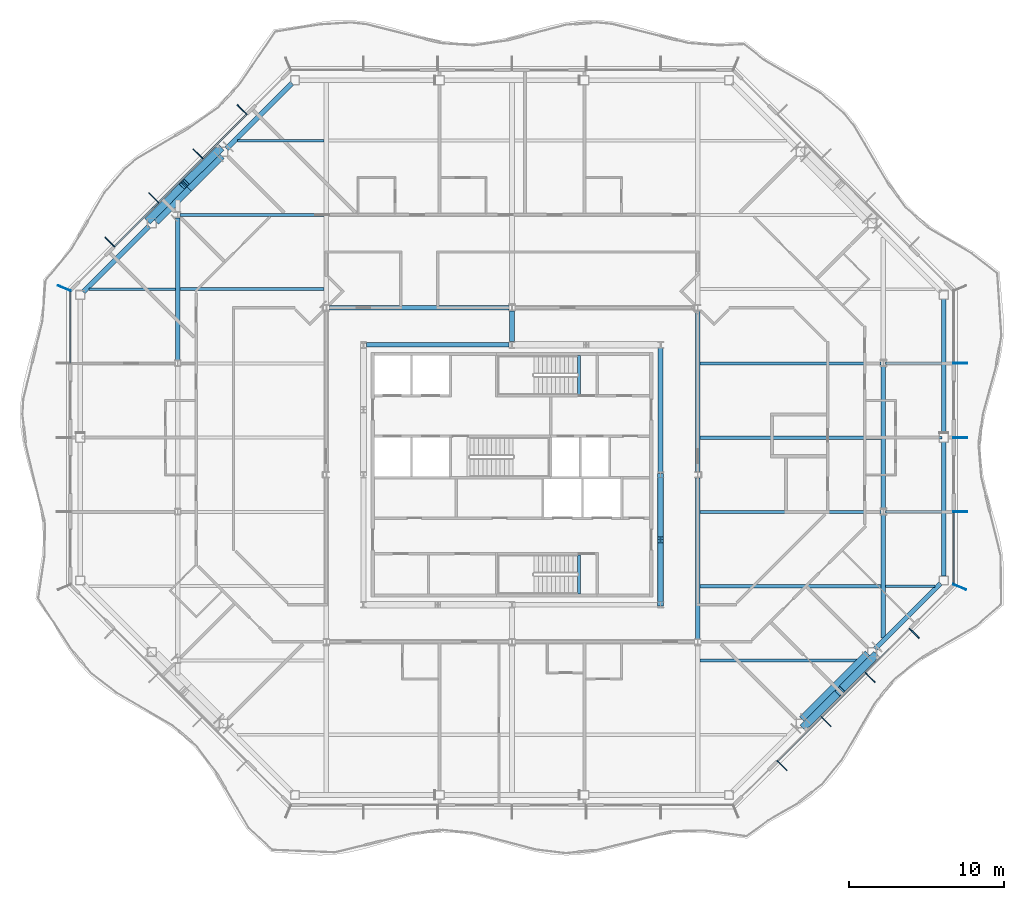
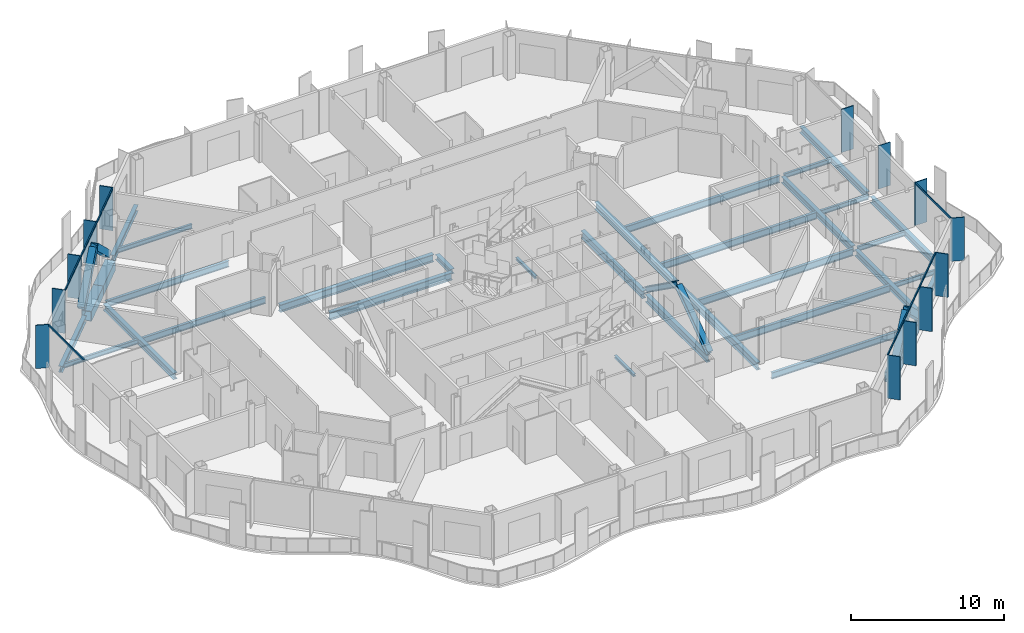
# One storey, part 4 of 20: 34 beams, 27 members, 4 elements without a shape of their own.
"""IFC4 building model written with IfcOpenShell, lengths in metres."""

import ifcopenshell
import ifcopenshell.guid

model = None  # the IFC model being written
_history = None  # IfcOwnerHistory: only IFC2X3 demands one
_inside = {}  # id of a spatial element -> (the spatial element, [elements in it])
_under = {}  # id of a project, library or spatial element -> (it, [spatial elements below it])
_declared = {}  # id of a project -> (the project, [libraries it declares])
_typed = {}  # id of a type object -> (the type object, [elements of that type])
_made_of = {}  # id of a material, layer set ... -> (it, [elements and type objects made of it])


def new_model(schema):
    """Start an empty IFC model of exactly this schema.

    Asked for "IFC4X3", IfcOpenShell would pick the latest addendum, in which some entities
    have other attributes; the version numbers below select the first issue.
    IFC2X3 requires an IfcOwnerHistory on every rooted entity: one is made here for all.
    """
    global model, _history
    if schema == "IFC4X3":
        model = ifcopenshell.file(schema_version=(4, 3, 0, 0))
    else:
        model = ifcopenshell.file(schema=schema)
    _inside.clear()
    _under.clear()
    _declared.clear()
    _typed.clear()
    _made_of.clear()
    _history = None
    if model.schema == "IFC2X3":
        org = make("IfcOrganization", Name="unknown")
        user = make(
            "IfcPersonAndOrganization",
            ThePerson=make("IfcPerson", FamilyName="unknown"),
            TheOrganization=org,
        )
        app = make(
            "IfcApplication",
            ApplicationDeveloper=org,
            Version="unknown",
            ApplicationFullName="unknown",
            ApplicationIdentifier="unknown",
        )
        _history = make(
            "IfcOwnerHistory",
            OwningUser=user,
            OwningApplication=app,
            ChangeAction="ADDED",
            CreationDate=0,
        )
    return model


def make(cls, **values):
    """One entity of the class cls with the attributes given. An attribute that is None is left unset."""
    return model.create_entity(
        cls, **{name: value for name, value in values.items() if value is not None}
    )


def rooted(cls, **values):
    """An entity with a GlobalId (a new one), such as an element, a storey or a relation."""
    return make(cls, GlobalId=ifcopenshell.guid.new(), OwnerHistory=_history, **values)


def si_unit(unit_type, name, prefix=None):
    """IfcSIUnit, for example si_unit("LENGTHUNIT", "METRE", prefix="MILLI")."""
    return make("IfcSIUnit", UnitType=unit_type, Prefix=prefix, Name=name)


def assignment(units):
    """IfcUnitAssignment: the units of a project."""
    return None if units is None else make("IfcUnitAssignment", Units=units)


def point(xyz):
    """IfcCartesianPoint."""
    return None if xyz is None else make("IfcCartesianPoint", Coordinates=xyz)


def direction(xyz):
    """IfcDirection."""
    return None if xyz is None else make("IfcDirection", DirectionRatios=xyz)


def frame(location, z_axis=None, x_axis=None):
    """IfcAxis2Placement3D, a coordinate frame: its origin and axes. An axis left out is left unset."""
    return make(
        "IfcAxis2Placement3D",
        Location=point(location),
        Axis=direction(z_axis),
        RefDirection=direction(x_axis),
    )


def frame_2d(location, x_axis=None):
    """IfcAxis2Placement2D, a coordinate frame in the plane: its origin and x axis."""
    return make(
        "IfcAxis2Placement2D", Location=point(location), RefDirection=direction(x_axis)
    )


def origin():
    """The frame at (0, 0, 0) with its axes left unset."""
    return frame((0.0, 0.0, 0.0))


def origin_2d():
    """The frame at (0, 0) in the plane with its x axis left unset."""
    return frame_2d((0.0, 0.0))


def place(relative_to, where):
    """IfcLocalPlacement: puts the frame where relative to a parent placement (None: the world)."""
    return make(
        "IfcLocalPlacement", PlacementRelTo=relative_to, RelativePlacement=where
    )


def context(
    kind, dimensions, precision=None, world=None, true_north=None, identifier=None
):
    """IfcGeometricRepresentationContext, for example the 3D "Model" context."""
    return make(
        "IfcGeometricRepresentationContext",
        ContextIdentifier=identifier,
        ContextType=kind,
        CoordinateSpaceDimension=dimensions,
        Precision=precision,
        WorldCoordinateSystem=world,
        TrueNorth=true_north,
    )


def subcontext(parent, identifier, kind, view, scale=None):
    """IfcGeometricRepresentationSubContext, for example "Body" below "Model"."""
    return make(
        "IfcGeometricRepresentationSubContext",
        ContextIdentifier=identifier,
        ContextType=kind,
        ParentContext=parent,
        TargetScale=scale,
        TargetView=view,
    )


def project(units=None, contexts=None):
    """IfcProject with its units and contexts."""
    return rooted(
        "IfcProject",
        Name="project",
        RepresentationContexts=contexts,
        UnitsInContext=assignment(units),
    )


def spatial(cls, under=None, at=None, **own):
    """A site, building, storey or space (cls), placed at a placement, below another one or the project."""
    s = rooted(cls, ObjectPlacement=at, **own)
    if under is not None:
        _under.setdefault(under.id(), (under, []))[1].append(s)
    return s


def profile(cls, at=None, kind="AREA", **sizes):
    """A parametric profile (cls). Its sizes go by their IFC names, for example OverallWidth=200.0."""
    return make(cls, ProfileType=kind, Position=at, **sizes)


def rectangle(**sizes):
    """IfcRectangleProfileDef."""
    return profile("IfcRectangleProfileDef", **sizes)


def hollow_rectangle(**sizes):
    """IfcRectangleHollowProfileDef."""
    return profile("IfcRectangleHollowProfileDef", **sizes)


def i_section(**sizes):
    """IfcIShapeProfileDef."""
    return profile("IfcIShapeProfileDef", **sizes)


def extrude(swept, where, along, depth):
    """IfcExtrudedAreaSolid: the profile swept, set in the frame where, extruded along a direction by depth."""
    return make(
        "IfcExtrudedAreaSolid",
        SweptArea=swept,
        Position=where,
        ExtrudedDirection=direction(along),
        Depth=depth,
    )


def shape(context_of_items, identifier, shape_type, items):
    """IfcShapeRepresentation: the items that make up one representation, for example the "Body"."""
    return make(
        "IfcShapeRepresentation",
        ContextOfItems=context_of_items,
        RepresentationIdentifier=identifier,
        RepresentationType=shape_type,
        Items=items,
    )


def material(Name=None, Category=None):
    """IfcMaterial."""
    return make("IfcMaterial", Name=Name, Category=Category)


def material_profile(
    of_material, cross_section, Name=None, Category=None, Priority=None
):
    """IfcMaterialProfile: a cross section and its material."""
    return make(
        "IfcMaterialProfile",
        Name=Name,
        Material=of_material,
        Profile=cross_section,
        Priority=Priority,
        Category=Category,
    )


def profile_set(profiles, Name=None, composite=None):
    """IfcMaterialProfileSet."""
    return make(
        "IfcMaterialProfileSet",
        Name=Name,
        MaterialProfiles=profiles,
        CompositeProfile=composite,
    )


def made_of(thing, what):
    """Note that an element or type object is made of a material, layer set ...; save() writes the relation."""
    if what is not None:
        _made_of.setdefault(what.id(), (what, []))[1].append(thing)
    return thing


def type_object(cls, material=None, **own):
    """A type object (cls), such as IfcWallType, which elements share."""
    return made_of(rooted(cls, **own), material)


def element(
    cls,
    number,
    at=None,
    inside=None,
    cuts=None,
    type_object=None,
    material=None,
    context=None,
    identifier="Body",
    shape_type=None,
    held_by="IfcProductDefinitionShape",
    body=None,
    shapes=None,
    **own,
):
    """One element of the class cls, such as IfcWall. Its Tag is "e" and its number.

    at: its placement. inside: the storey or other place that contains it. cuts: it is an
    opening in that element (IfcRelVoidsElement). A single representation is given by context,
    identifier, shape_type and body (its items); several are given by shapes. held_by: the class
    of the entity that holds the representations. save() writes the other relations.
    """
    e = rooted(cls, Tag="e%d" % number, ObjectPlacement=at, **own)
    if body is not None:
        shapes = [shape(context, identifier, shape_type, body)]
    if shapes is not None:
        e.Representation = make(held_by, Representations=shapes)
    if inside is not None:
        _inside.setdefault(inside.id(), (inside, []))[1].append(e)
    if cuts is not None:
        rooted(
            "IfcRelVoidsElement", RelatingBuildingElement=cuts, RelatedOpeningElement=e
        )
    if type_object is not None:
        _typed.setdefault(type_object.id(), (type_object, []))[1].append(e)
    return made_of(e, material)


def aggregate(whole, parts):
    """IfcRelAggregates: a whole, such as a stair, and the parts it consists of."""
    return rooted("IfcRelAggregates", RelatingObject=whole, RelatedObjects=parts)


def save(model, path):
    """Write the relations noted so far, then the file.

    IfcRelAggregates (storeys below a building ...), IfcRelContainedInSpatialStructure (elements
    in a storey), IfcRelDefinesByType, IfcRelAssociatesMaterial and IfcRelDeclares: one each for
    every whole, place, type object, material and project.
    """
    for whole, parts in _under.values():
        aggregate(whole, parts)
    for where, things in _inside.values():
        rooted(
            "IfcRelContainedInSpatialStructure",
            RelatedElements=things,
            RelatingStructure=where,
        )
    for kind, things in _typed.values():
        rooted("IfcRelDefinesByType", RelatedObjects=things, RelatingType=kind)
    for what, things in _made_of.values():
        rooted("IfcRelAssociatesMaterial", RelatedObjects=things, RelatingMaterial=what)
    for by, libraries in _declared.values():
        rooted("IfcRelDeclares", RelatingContext=by, RelatedDefinitions=libraries)
    model.write(path)


model = new_model("IFC4")

# Units and contexts
model_context = context("Model", 3, precision=1e-05, world=origin(), true_north=direction((0.0, 1.0)))
body_context = subcontext(model_context, "Body", "Model", "MODEL_VIEW")
ifc_project = project(units=[si_unit("LENGTHUNIT", "METRE"), si_unit("AREAUNIT", "SQUARE_METRE"), si_unit("VOLUMEUNIT", "CUBIC_METRE"), si_unit("PLANEANGLEUNIT", "RADIAN"), si_unit("MASSUNIT", "GRAM", prefix="KILO")], contexts=[model_context])

# Site, building, storey
site_placement = place(None, origin())
site = spatial("IfcSite", under=ifc_project, at=site_placement, CompositionType="ELEMENT")
building_placement = place(site_placement, origin())
building = spatial("IfcBuilding", under=site, at=building_placement, Name="Cairn Pilgrim Tower", CompositionType="ELEMENT")
storey_placement = place(building_placement, frame((0.0, 0.0, 165.0)))
storey = spatial("IfcBuildingStorey", under=building, at=storey_placement, Name="L41", CompositionType="ELEMENT", Elevation=165.0)

# Members
ifc_material_1 = material(Name="Structural steel S460M", Category="steel")
ifc_material_profile_1 = material_profile(ifc_material_1, hollow_rectangle(XDim=0.5, YDim=0.5, WallThickness=0.030029296875, at=origin_2d()), Name="BOX 500x500x30")
ifc_profile_set_1 = profile_set([ifc_material_profile_1], Name="Structural steel S460M")
member_type_1 = type_object("IfcMemberType", Name="BOX 500x500x30 BRACE", PredefinedType="BRACE", material=ifc_profile_set_1)
for number, where, z_axis, x_axis, name in (
    (1, (26.097900390625, -13.84326171875, 0.14990234375), (0.540432836476, 0.53283023714, 0.651171473306), (-0.702080283622, 0.712097799006, 0.0), "XB-SE2-SE3-1"),
    (2, (30.643310546875, -9.2978515625, 0.14990234375), (-0.53283023714, -0.540432836476, 0.651171473306), (0.712097799006, -0.702080283622, 0.0), "XB-SE2-SE3-2"),
    (3, (-11.697998046875, 23.443359375, 0.14990234375), (-0.540432836476, -0.53283023714, 0.651171473306), (0.702080283622, -0.712097799006, 0.0), "XB-NW2-NW3-1"),
    (4, (-16.243408203125, 18.89794921875, 0.14990234375), (0.532872437944, 0.54041586551, 0.651151024866), (-0.712058976351, 0.702119658034, 0.0), "XB-NW2-NW3-2"),
):
    element("IfcMember", number, at=place(storey_placement, frame(where, z_axis=z_axis, x_axis=x_axis)), inside=storey, type_object=member_type_1, Name=name, PredefinedType="BRACE", context=body_context, shape_type="SweptSolid", body=[
        extrude(hollow_rectangle(XDim=0.5, YDim=0.5, WallThickness=0.030029296875, at=origin_2d()), origin(), (0.0, 0.0, 1.0), 4.142578125),
    ])

# Beams
ifc_material_2 = material(Name="Structural steel S355J2", Category="steel")
ifc_material_profile_2 = material_profile(ifc_material_2, hollow_rectangle(XDim=0.699951171875, YDim=0.800048828125, WallThickness=0.0400390625, at=origin_2d()), Name="BOX 700x800x40")
ifc_profile_set_2 = profile_set([ifc_material_profile_2], Name="Structural steel S355J2")
beam_type_1 = type_object("IfcBeamType", Name="BOX 700x800x40 RING GIRDER", PredefinedType="SPANDREL", material=ifc_profile_set_2)
for number, where, z_axis, x_axis, name in (
    (5, (26.04248046875, -13.48486328125, -0.550048828125), (0.707066087907, 0.707147472125, 0.0), (-0.707147472125, 0.707066087907, 0.0), "RG2-SE2-SE3-1"),
    (6, (28.16357421875, -11.363525390625, -0.550048828125), (0.707147472125, 0.707066087907, 0.0), (-0.707066087907, 0.707147472125, 0.0), "RG2-SE2-SE3-2"),
    (7, (-11.642333984375, 23.084716796875, -0.550048828125), (-0.707147472125, -0.707066087907, 0.0), (0.707066087907, -0.707147472125, 0.0), "RG2-NW2-NW3-1"),
    (8, (-13.763671875, 20.963623046875, -0.550048828125), (-0.707066087907, -0.707147472125, 0.0), (0.707147472125, -0.707066087907, 0.0), "RG2-NW2-NW3-2"),
):
    element("IfcBeam", number, at=place(storey_placement, frame(where, z_axis=z_axis, x_axis=x_axis)), inside=storey, type_object=beam_type_1, Name=name, PredefinedType="SPANDREL", context=body_context, shape_type="SweptSolid", body=[
        extrude(hollow_rectangle(XDim=0.699951171875, YDim=0.800048828125, WallThickness=0.0400390625, at=origin_2d()), origin(), (0.0, 0.0, 1.0), 2.999755859375),
    ])

# Curtain wall, members
ifc_material_3 = material(Name="Aluminium alloy 6063-T6 bronze anodised with Bronze tinted laminated low-E glass 8+16+8.8", Category="aluminium")
curtain_wall_type_1 = type_object("IfcCurtainWallType", Name="CHAMFER CORNER CURTAIN WALL", PredefinedType="NOTDEFINED", material=ifc_material_3)
curtain_wall_1_placement = place(storey_placement, origin())
curtain_wall_1 = element("IfcCurtainWall", 9, at=curtain_wall_1_placement, inside=storey, type_object=curtain_wall_type_1, Name="Chamfer Corner Curtain Wall SE", PredefinedType="NOTDEFINED")
ifc_material_4 = material(Name="Aluminium alloy 6063-T6 bronze anodised", Category="aluminium")
ifc_material_profile_3 = material_profile(ifc_material_4, rectangle(XDim=0.89990234375, YDim=0.06005859375, at=origin_2d()), Name="FIN MULLION 60x900 BRONZE")
ifc_profile_set_3 = profile_set([ifc_material_profile_3], Name="Aluminium alloy 6063-T6 bronze anodised")
member_type_2 = type_object("IfcMemberType", Name="FIN MULLION 60x900 BRONZE", PredefinedType="MULLION", material=ifc_profile_set_3)
member_1_placement = place(storey_placement, frame((24.64404296875, -16.396240234375, 0.0), z_axis=(0.0, 0.0, 1.0), x_axis=(0.707106781187, -0.707106781187, 0.0)))
member_1 = element("IfcMember", 10, at=member_1_placement, type_object=member_type_2, Name="Fin mullion SE2", PredefinedType="MULLION", context=body_context, shape_type="SweptSolid", body=[
    extrude(rectangle(XDim=0.89990234375, YDim=0.06005859375, at=origin_2d()), origin(), (0.0, 0.0, 1.0), 3.449951171875),
])
member_2_placement = place(storey_placement, frame((27.494873046875, -13.545654296875, 0.0), z_axis=(0.0, 0.0, 1.0), x_axis=(0.707106781187, -0.707106781187, 0.0)))
member_2 = element("IfcMember", 11, at=member_2_placement, type_object=member_type_2, Name="Fin mullion SE3", PredefinedType="MULLION", context=body_context, shape_type="SweptSolid", body=[
    extrude(rectangle(XDim=0.89990234375, YDim=0.06005859375, at=origin_2d()), origin(), (0.0, 0.0, 1.0), 3.449951171875),
])
member_3_placement = place(storey_placement, frame((30.345458984375, -10.69482421875, 0.0), z_axis=(0.0, 0.0, 1.0), x_axis=(0.707106781187, -0.707106781187, 0.0)))
member_3 = element("IfcMember", 12, at=member_3_placement, type_object=member_type_2, Name="Fin mullion SE4", PredefinedType="MULLION", context=body_context, shape_type="SweptSolid", body=[
    extrude(rectangle(XDim=0.89990234375, YDim=0.06005859375, at=origin_2d()), origin(), (0.0, 0.0, 1.0), 3.449951171875),
])
member_4_placement = place(storey_placement, frame((33.1962890625, -7.84423828125, 0.0), z_axis=(0.0, 0.0, 1.0), x_axis=(0.707106781187, -0.707106781187, 0.0)))
member_4 = element("IfcMember", 13, at=member_4_placement, type_object=member_type_2, Name="Fin mullion SE5", PredefinedType="MULLION", context=body_context, shape_type="SweptSolid", body=[
    extrude(rectangle(XDim=0.89990234375, YDim=0.06005859375, at=origin_2d()), origin(), (0.0, 0.0, 1.0), 3.449951171875),
])

curtain_wall_type_2 = type_object("IfcCurtainWallType", Name="TOWER STICK CURTAIN WALL EW", PredefinedType="NOTDEFINED", material=ifc_material_3)
curtain_wall_2_placement = place(storey_placement, origin())
curtain_wall_2 = element("IfcCurtainWall", 14, at=curtain_wall_2_placement, inside=storey, type_object=curtain_wall_type_2, Name="Tower Stick Curtain Wall Ew E", PredefinedType="NOTDEFINED")
member_5_placement = place(storey_placement, frame((36.137939453125, -4.857177734375, 0.0), z_axis=(0.0, 0.0, 1.0), x_axis=(0.923879532511, -0.382683432365, 0.0)))
member_5 = element("IfcMember", 15, at=member_5_placement, type_object=member_type_2, Name="Fin mullion E1", PredefinedType="MULLION", context=body_context, shape_type="SweptSolid", body=[
    extrude(rectangle(XDim=0.89990234375, YDim=0.06005859375, at=origin_2d()), origin(), (0.0, 0.0, 1.0), 3.449951171875),
])
member_6_placement = place(storey_placement, frame((36.169921875, 0.0, 0.0), z_axis=(0.0, 0.0, 1.0), x_axis=(1.0, 0.0, 0.0)))
member_6 = element("IfcMember", 16, at=member_6_placement, type_object=member_type_2, Name="Fin mullion E2", PredefinedType="MULLION", context=body_context, shape_type="SweptSolid", body=[
    extrude(rectangle(XDim=0.89990234375, YDim=0.06005859375, at=origin_2d()), origin(), (0.0, 0.0, 1.0), 3.449951171875),
])
member_7_placement = place(storey_placement, frame((36.169921875, 4.800048828125, 0.0), z_axis=(0.0, 0.0, 1.0), x_axis=(1.0, 0.0, 0.0)))
member_7 = element("IfcMember", 17, at=member_7_placement, type_object=member_type_2, Name="Fin mullion E3", PredefinedType="MULLION", context=body_context, shape_type="SweptSolid", body=[
    extrude(rectangle(XDim=0.89990234375, YDim=0.06005859375, at=origin_2d()), origin(), (0.0, 0.0, 1.0), 3.449951171875),
])
member_8_placement = place(storey_placement, frame((36.169921875, 9.60009765625, 0.0), z_axis=(0.0, 0.0, 1.0), x_axis=(1.0, 0.0, 0.0)))
member_8 = element("IfcMember", 18, at=member_8_placement, type_object=member_type_2, Name="Fin mullion E4", PredefinedType="MULLION", context=body_context, shape_type="SweptSolid", body=[
    extrude(rectangle(XDim=0.89990234375, YDim=0.06005859375, at=origin_2d()), origin(), (0.0, 0.0, 1.0), 3.449951171875),
])

curtain_wall_3_placement = place(storey_placement, origin())
curtain_wall_3 = element("IfcCurtainWall", 19, at=curtain_wall_3_placement, inside=storey, type_object=curtain_wall_type_1, Name="Chamfer Corner Curtain Wall NW", PredefinedType="NOTDEFINED")
member_9_placement = place(storey_placement, frame((-10.244140625, 25.996337890625, 0.0), z_axis=(0.0, 0.0, 1.0), x_axis=(-0.707106781187, 0.707106781187, 0.0)))
member_9 = element("IfcMember", 20, at=member_9_placement, type_object=member_type_2, Name="Fin mullion NW2", PredefinedType="MULLION", context=body_context, shape_type="SweptSolid", body=[
    extrude(rectangle(XDim=0.89990234375, YDim=0.06005859375, at=origin_2d()), origin(), (0.0, 0.0, 1.0), 3.449951171875),
])
member_10_placement = place(storey_placement, frame((-13.094970703125, 23.1455078125, 0.0), z_axis=(0.0, 0.0, 1.0), x_axis=(-0.707106781187, 0.707106781187, 0.0)))
member_10 = element("IfcMember", 21, at=member_10_placement, type_object=member_type_2, Name="Fin mullion NW3", PredefinedType="MULLION", context=body_context, shape_type="SweptSolid", body=[
    extrude(rectangle(XDim=0.89990234375, YDim=0.06005859375, at=origin_2d()), origin(), (0.0, 0.0, 1.0), 3.449951171875),
])
member_11_placement = place(storey_placement, frame((-15.945556640625, 20.294921875, 0.0), z_axis=(0.0, 0.0, 1.0), x_axis=(-0.707106781187, 0.707106781187, 0.0)))
member_11 = element("IfcMember", 22, at=member_11_placement, type_object=member_type_2, Name="Fin mullion NW4", PredefinedType="MULLION", context=body_context, shape_type="SweptSolid", body=[
    extrude(rectangle(XDim=0.89990234375, YDim=0.06005859375, at=origin_2d()), origin(), (0.0, 0.0, 1.0), 3.449951171875),
])
member_12_placement = place(storey_placement, frame((-18.79638671875, 17.444091796875, 0.0), z_axis=(0.0, 0.0, 1.0), x_axis=(-0.707106781187, 0.707106781187, 0.0)))
member_12 = element("IfcMember", 23, at=member_12_placement, type_object=member_type_2, Name="Fin mullion NW5", PredefinedType="MULLION", context=body_context, shape_type="SweptSolid", body=[
    extrude(rectangle(XDim=0.89990234375, YDim=0.06005859375, at=origin_2d()), origin(), (0.0, 0.0, 1.0), 3.449951171875),
])

# Curtain wall, member
curtain_wall_4_placement = place(storey_placement, origin())
curtain_wall_4 = element("IfcCurtainWall", 24, at=curtain_wall_4_placement, inside=storey, type_object=curtain_wall_type_2, Name="Tower Stick Curtain Wall Ew W", PredefinedType="NOTDEFINED")
member_13_placement = place(storey_placement, frame((-21.738037109375, 14.457275390625, 0.0), z_axis=(0.0, 0.0, 1.0), x_axis=(-0.923879532511, 0.382683432365, 0.0)))
member_13 = element("IfcMember", 25, at=member_13_placement, type_object=member_type_2, Name="Fin mullion W1", PredefinedType="MULLION", context=body_context, shape_type="SweptSolid", body=[
    extrude(rectangle(XDim=0.89990234375, YDim=0.06005859375, at=origin_2d()), origin(), (0.0, 0.0, 1.0), 3.449951171875),
])

# Members
ifc_material_profile_4 = material_profile(ifc_material_1, i_section(OverallWidth=0.408935546875, OverallDepth=0.425048828125, WebThickness=0.03271484375, FlangeThickness=0.052490234375, FilletRadius=0.014892578125, at=origin_2d()), Name="HD 400x421")
ifc_profile_set_4 = profile_set([ifc_material_profile_4], Name="Structural steel S460M")
member_type_3 = type_object("IfcMemberType", Name="HD 400x421 BRACE", PredefinedType="BRACE", material=ifc_profile_set_4)
member_14_placement = place(storey_placement, frame((16.800048828125, -5.95849609375, 0.10009765625), z_axis=(0.0, 0.814346882511, 0.580378458373), x_axis=(-1.0, 0.0, 0.0)))
element("IfcMember", 26, at=member_14_placement, inside=storey, type_object=member_type_3, Name="KB-2A", PredefinedType="BRACE", context=body_context, shape_type="SweptSolid", body=[
    extrude(i_section(OverallWidth=0.408935546875, OverallDepth=0.425048828125, WebThickness=0.03271484375, FlangeThickness=0.052490234375, FilletRadius=0.014892578125, at=origin_2d()), origin(), (0.0, 0.0, 1.0), 4.998291015625),
])
member_15_placement = place(storey_placement, frame((16.800048828125, 2.3583984375, 0.10009765625), z_axis=(0.0, -0.81433042856, 0.580401544727), x_axis=(1.0, 0.0, 0.0)))
element("IfcMember", 27, at=member_15_placement, inside=storey, type_object=member_type_3, Name="KB-2B", PredefinedType="BRACE", context=body_context, shape_type="SweptSolid", body=[
    extrude(i_section(OverallWidth=0.408935546875, OverallDepth=0.425048828125, WebThickness=0.03271484375, FlangeThickness=0.052490234375, FilletRadius=0.014892578125, at=origin_2d()), origin(), (0.0, 0.0, 1.0), 4.998046875),
])

# Beams
ifc_material_profile_5 = material_profile(ifc_material_2, i_section(OverallWidth=0.300048828125, OverallDepth=0.39990234375, WebThickness=0.013427734375, FlangeThickness=0.02392578125, FilletRadius=0.027099609375, at=origin_2d()), Name="HEB 400")
ifc_profile_set_5 = profile_set([ifc_material_profile_5], Name="Structural steel S355J2")
beam_type_2 = type_object("IfcBeamType", Name="HEB 400 GIRDER", PredefinedType="BEAM", material=ifc_profile_set_5)
beam_1_placement = place(storey_placement, frame((7.199951171875, 11.008056640625, -0.35009765625), z_axis=(0.0, 1.0, 0.0), x_axis=(-1.0, 0.0, 0.0)))
element("IfcBeam", 28, at=beam_1_placement, inside=storey, type_object=beam_type_2, Name="PG3-E2", PredefinedType="BEAM", context=body_context, shape_type="SweptSolid", body=[
    extrude(i_section(OverallWidth=0.300048828125, OverallDepth=0.39990234375, WebThickness=0.013427734375, FlangeThickness=0.02392578125, FilletRadius=0.027099609375, at=origin_2d()), origin(), (0.0, 0.0, 1.0), 1.992431640625),
])
ifc_material_profile_6 = material_profile(ifc_material_2, i_section(OverallWidth=0.300048828125, OverallDepth=0.5, WebThickness=0.014404296875, FlangeThickness=0.028076171875, FilletRadius=0.027099609375, at=origin_2d()), Name="HEB 500")
ifc_profile_set_6 = profile_set([ifc_material_profile_6], Name="Structural steel S355J2")
beam_type_3 = type_object("IfcBeamType", Name="HEB 500 GIRDER", PredefinedType="BEAM", material=ifc_profile_set_6)
beam_2_placement = place(storey_placement, frame((-14.39990234375, 9.799560546875, -0.39990234375), z_axis=(0.0, 1.0, 0.0), x_axis=(-1.0, 0.0, 0.0)))
element("IfcBeam", 29, at=beam_2_placement, inside=storey, type_object=beam_type_3, Name="PG1-3", PredefinedType="BEAM", context=body_context, shape_type="SweptSolid", body=[
    extrude(i_section(OverallWidth=0.300048828125, OverallDepth=0.5, WebThickness=0.014404296875, FlangeThickness=0.028076171875, FilletRadius=0.027099609375, at=origin_2d()), origin(), (0.0, 0.0, 1.0), 9.200927734375),
])
beam_3_placement = place(storey_placement, frame((31.199951171875, -8.14501953125, -0.39990234375), z_axis=(0.0, 1.0, 0.0), x_axis=(-1.0, 0.0, 0.0)))
element("IfcBeam", 30, at=beam_3_placement, inside=storey, type_object=beam_type_3, Name="PG5-1", PredefinedType="BEAM", context=body_context, shape_type="SweptSolid", body=[
    extrude(i_section(OverallWidth=0.300048828125, OverallDepth=0.5, WebThickness=0.014404296875, FlangeThickness=0.028076171875, FilletRadius=0.027099609375, at=origin_2d()), origin(), (0.0, 0.0, 1.0), 7.9404296875),
])
beam_4_placement = place(storey_placement, frame((31.199951171875, 0.20458984375, -0.39990234375), z_axis=(0.0, 1.0, 0.0), x_axis=(-1.0, 0.0, 0.0)))
element("IfcBeam", 31, at=beam_4_placement, inside=storey, type_object=beam_type_3, Name="PG5-2", PredefinedType="BEAM", context=body_context, shape_type="SweptSolid", body=[
    extrude(i_section(OverallWidth=0.300048828125, OverallDepth=0.5, WebThickness=0.014404296875, FlangeThickness=0.028076171875, FilletRadius=0.027099609375, at=origin_2d()), origin(), (0.0, 0.0, 1.0), 9.19091796875),
])
ifc_material_profile_7 = material_profile(ifc_material_2, i_section(OverallWidth=0.300048828125, OverallDepth=0.5, WebThickness=0.014404296875, FlangeThickness=0.028076171875, FilletRadius=0.027099609375, at=origin_2d()), Name="HEB 500")
ifc_profile_set_7 = profile_set([ifc_material_profile_7], Name="Structural steel S355J2")
beam_type_4 = type_object("IfcBeamType", Name="HEB 500 RING GIRDER", PredefinedType="SPANDREL", material=ifc_profile_set_7)
beam_5_placement = place(storey_placement, frame((30.666748046875, -8.860595703125, -0.39990234375), z_axis=(0.707106781187, 0.707106781187, 0.0), x_axis=(-0.707106781187, 0.707106781187, 0.0)))
element("IfcBeam", 32, at=beam_5_placement, inside=storey, type_object=beam_type_4, Name="RG2-SE3-E1", PredefinedType="SPANDREL", context=body_context, shape_type="SweptSolid", body=[
    extrude(i_section(OverallWidth=0.300048828125, OverallDepth=0.5, WebThickness=0.014404296875, FlangeThickness=0.028076171875, FilletRadius=0.027099609375, at=origin_2d()), origin(), (0.0, 0.0, 1.0), 5.999755859375),
])
beam_6_placement = place(storey_placement, frame((35.10009765625, -4.1572265625, -0.39990234375), z_axis=(0.0, 1.0, 0.0), x_axis=(-1.0, 0.0, 0.0)))
element("IfcBeam", 33, at=beam_6_placement, inside=storey, type_object=beam_type_4, Name="RG2-E1-E2", PredefinedType="SPANDREL", context=body_context, shape_type="SweptSolid", body=[
    extrude(i_section(OverallWidth=0.300048828125, OverallDepth=0.5, WebThickness=0.014404296875, FlangeThickness=0.028076171875, FilletRadius=0.027099609375, at=origin_2d()), origin(), (0.0, 0.0, 1.0), 8.687255859375),
])
beam_7_placement = place(storey_placement, frame((35.10009765625, 5.070068359375, -0.39990234375), z_axis=(0.0, 1.0, 0.0), x_axis=(-1.0, 0.0, 0.0)))
element("IfcBeam", 34, at=beam_7_placement, inside=storey, type_object=beam_type_4, Name="RG2-E2-NE1", PredefinedType="SPANDREL", context=body_context, shape_type="SweptSolid", body=[
    extrude(i_section(OverallWidth=0.300048828125, OverallDepth=0.5, WebThickness=0.014404296875, FlangeThickness=0.028076171875, FilletRadius=0.027099609375, at=origin_2d()), origin(), (0.0, 0.0, 1.0), 8.68701171875),
])
beam_8_placement = place(storey_placement, frame((-7.01806640625, 27.708984375, -0.39990234375), z_axis=(-0.707127127534, -0.707086434254, 0.0), x_axis=(0.707086434254, -0.707127127534, 0.0)))
element("IfcBeam", 35, at=beam_8_placement, inside=storey, type_object=beam_type_4, Name="RG2-NW1-NW2", PredefinedType="SPANDREL", context=body_context, shape_type="SweptSolid", body=[
    extrude(i_section(OverallWidth=0.300048828125, OverallDepth=0.5, WebThickness=0.014404296875, FlangeThickness=0.028076171875, FilletRadius=0.027099609375, at=origin_2d()), origin(), (0.0, 0.0, 1.0), 5.99951171875),
])
beam_9_placement = place(storey_placement, frame((-16.2666015625, 18.460693359375, -0.39990234375), z_axis=(-0.707086435425, -0.707127126363, 0.0), x_axis=(0.707127126363, -0.707086435425, 0.0)))
element("IfcBeam", 36, at=beam_9_placement, inside=storey, type_object=beam_type_4, Name="RG2-NW3-W1", PredefinedType="SPANDREL", context=body_context, shape_type="SweptSolid", body=[
    extrude(i_section(OverallWidth=0.300048828125, OverallDepth=0.5, WebThickness=0.014404296875, FlangeThickness=0.028076171875, FilletRadius=0.027099609375, at=origin_2d()), origin(), (0.0, 0.0, 1.0), 5.999755859375),
])
ifc_material_profile_8 = material_profile(ifc_material_2, i_section(OverallWidth=0.300048828125, OverallDepth=0.60009765625, WebThickness=0.015380859375, FlangeThickness=0.030029296875, FilletRadius=0.027099609375, at=origin_2d()), Name="HEB 600")
ifc_profile_set_8 = profile_set([ifc_material_profile_8], Name="Structural steel S355J2")
beam_type_5 = type_object("IfcBeamType", Name="HEB 600 CORE BEAM", PredefinedType="BEAM", material=ifc_profile_set_8)
for number, where, z_axis, x_axis, name in (
    (37, (16.800048828125, -5.812744140625, -0.449951171875), (0.0, 1.0, 0.0), (-1.0, 0.0, 0.0), "CB-3"),
    (38, (16.800048828125, 2.587158203125, -0.449951171875), (0.0, 1.0, 0.0), (-1.0, 0.0, 0.0), "CB-4"),
):
    element("IfcBeam", number, at=place(storey_placement, frame(where, z_axis=z_axis, x_axis=x_axis)), inside=storey, type_object=beam_type_5, Name=name, PredefinedType="BEAM", context=body_context, shape_type="SweptSolid", body=[
        extrude(i_section(OverallWidth=0.300048828125, OverallDepth=0.60009765625, WebThickness=0.015380859375, FlangeThickness=0.030029296875, FilletRadius=0.027099609375, at=origin_2d()), origin(), (0.0, 0.0, 1.0), 8.025634765625),
    ])
beam_10_placement = place(storey_placement, frame((7.0126953125, 10.800048828125, -0.449951171875), z_axis=(-1.0, 0.0, 0.0), x_axis=(0.0, -1.0, 0.0)))
element("IfcBeam", 39, at=beam_10_placement, inside=storey, type_object=beam_type_5, Name="CB-6", PredefinedType="BEAM", context=body_context, shape_type="SweptSolid", body=[
    extrude(i_section(OverallWidth=0.300048828125, OverallDepth=0.60009765625, WebThickness=0.015380859375, FlangeThickness=0.030029296875, FilletRadius=0.027099609375, at=origin_2d()), origin(), (0.0, 0.0, 1.0), 9.2255859375),
])
ifc_material_profile_9 = material_profile(ifc_material_2, i_section(OverallWidth=0.300048828125, OverallDepth=0.60009765625, WebThickness=0.015380859375, FlangeThickness=0.030029296875, FilletRadius=0.027099609375, at=origin_2d()), Name="HEB 600")
ifc_profile_set_9 = profile_set([ifc_material_profile_9], Name="Structural steel S355J2")
beam_type_6 = type_object("IfcBeamType", Name="HEB 600 GIRDER", PredefinedType="BEAM", material=ifc_profile_set_9)
for number, where, z_axis, x_axis, name in (
    (40, (19.199951171875, -8.200439453125, -0.449951171875), (0.0, 1.0, 0.0), (-1.0, 0.0, 0.0), "PG4-2"),
    (41, (19.199951171875, 2.599609375, -0.449951171875), (0.0, 1.0, 0.0), (-1.0, 0.0, 0.0), "PG4-3"),
):
    element("IfcBeam", number, at=place(storey_placement, frame(where, z_axis=z_axis, x_axis=x_axis)), inside=storey, type_object=beam_type_6, Name=name, PredefinedType="BEAM", context=body_context, shape_type="SweptSolid", body=[
        extrude(i_section(OverallWidth=0.300048828125, OverallDepth=0.60009765625, WebThickness=0.015380859375, FlangeThickness=0.030029296875, FilletRadius=0.027099609375, at=origin_2d()), origin(), (0.0, 0.0, 1.0), 10.40087890625),
    ])
ifc_material_profile_10 = material_profile(ifc_material_2, i_section(OverallWidth=0.300048828125, OverallDepth=0.60009765625, WebThickness=0.015380859375, FlangeThickness=0.030029296875, FilletRadius=0.027099609375, at=origin_2d()), Name="HEB 600")
ifc_profile_set_10 = profile_set([ifc_material_profile_10], Name="Structural steel S355J2")
beam_type_7 = type_object("IfcBeamType", Name="HEB 600 INNER GIRDER", PredefinedType="BEAM", material=ifc_profile_set_10)
beam_11_placement = place(storey_placement, frame((-4.6005859375, 13.199951171875, -0.449951171875), z_axis=(1.0, 0.0, 0.0), x_axis=(0.0, 1.0, 0.0)))
element("IfcBeam", 42, at=beam_11_placement, inside=storey, type_object=beam_type_7, Name="IG2-1", PredefinedType="BEAM", context=body_context, shape_type="SweptSolid", body=[
    extrude(i_section(OverallWidth=0.300048828125, OverallDepth=0.60009765625, WebThickness=0.015380859375, FlangeThickness=0.030029296875, FilletRadius=0.027099609375, at=origin_2d()), origin(), (0.0, 0.0, 1.0), 11.60107421875),
])
ifc_material_profile_11 = material_profile(ifc_material_2, i_section(OverallWidth=0.169921875, OverallDepth=0.360107421875, WebThickness=0.008056640625, FlangeThickness=0.0126953125, FilletRadius=0.01806640625, at=origin_2d()), Name="IPE 360")
ifc_profile_set_11 = profile_set([ifc_material_profile_11], Name="Structural steel S355J2")
beam_type_8 = type_object("IfcBeamType", Name="IPE 360 SECONDARY BEAM", PredefinedType="JOIST", material=ifc_profile_set_11)
beam_12_placement = place(storey_placement, frame((31.35009765625, -4.800048828125, -0.330078125), z_axis=(1.0, 0.0, 0.0), x_axis=(0.0, 1.0, 0.0)))
element("IfcBeam", 43, at=beam_12_placement, inside=storey, type_object=beam_type_8, Name="SB3-4", PredefinedType="JOIST", context=body_context, shape_type="SweptSolid", body=[
    extrude(i_section(OverallWidth=0.169921875, OverallDepth=0.360107421875, WebThickness=0.008056640625, FlangeThickness=0.0126953125, FilletRadius=0.01806640625, at=origin_2d()), origin(), (0.0, 0.0, 1.0), 3.195068359375),
])
for number, where, z_axis, x_axis, name in (
    (44, (31.35009765625, 0.0, -0.330078125), (1.0, 0.0, 0.0), (0.0, 1.0, 0.0), "SB4-4"),
    (45, (31.35009765625, 4.800048828125, -0.330078125), (1.0, 0.0, 0.0), (0.0, 1.0, 0.0), "SB5-4"),
    (46, (31.35009765625, 9.60009765625, -0.330078125), (1.0, 0.0, 0.0), (0.0, 1.0, 0.0), "SB6-4"),
):
    element("IfcBeam", number, at=place(storey_placement, frame(where, z_axis=z_axis, x_axis=x_axis)), inside=storey, type_object=beam_type_8, Name=name, PredefinedType="JOIST", context=body_context, shape_type="SweptSolid", body=[
        extrude(i_section(OverallWidth=0.169921875, OverallDepth=0.360107421875, WebThickness=0.008056640625, FlangeThickness=0.0126953125, FilletRadius=0.01806640625, at=origin_2d()), origin(), (0.0, 0.0, 1.0), 3.6298828125),
    ])
beam_13_placement = place(storey_placement, frame((-20.14501953125, 14.39990234375, -0.330078125), z_axis=(1.0, 0.0, 0.0), x_axis=(0.0, 1.0, 0.0)))
element("IfcBeam", 47, at=beam_13_placement, inside=storey, type_object=beam_type_8, Name="SB7-1", PredefinedType="JOIST", context=body_context, shape_type="SweptSolid", body=[
    extrude(i_section(OverallWidth=0.169921875, OverallDepth=0.360107421875, WebThickness=0.008056640625, FlangeThickness=0.0126953125, FilletRadius=0.01806640625, at=origin_2d()), origin(), (0.0, 0.0, 1.0), 5.594970703125),
])
beam_14_placement = place(storey_placement, frame((-10.545166015625, 24.0, -0.330078125), z_axis=(1.0, 0.0, 0.0), x_axis=(0.0, 1.0, 0.0)))
element("IfcBeam", 48, at=beam_14_placement, inside=storey, type_object=beam_type_8, Name="SB9-1", PredefinedType="JOIST", context=body_context, shape_type="SweptSolid", body=[
    extrude(i_section(OverallWidth=0.169921875, OverallDepth=0.360107421875, WebThickness=0.008056640625, FlangeThickness=0.0126953125, FilletRadius=0.01806640625, at=origin_2d()), origin(), (0.0, 0.0, 1.0), 5.59521484375),
])
ifc_material_profile_12 = material_profile(ifc_material_2, i_section(OverallWidth=0.199951171875, OverallDepth=0.5, WebThickness=0.01025390625, FlangeThickness=0.01611328125, FilletRadius=0.02099609375, at=origin_2d()), Name="IPE 500")
ifc_profile_set_12 = profile_set([ifc_material_profile_12], Name="Structural steel S355J2")
beam_type_9 = type_object("IfcBeamType", Name="IPE 500 SECONDARY BEAM", PredefinedType="JOIST", material=ifc_profile_set_12)
beam_15_placement = place(storey_placement, frame((19.35009765625, -9.60009765625, -0.39990234375), z_axis=(1.0, 0.0, 0.0), x_axis=(0.0, 1.0, 0.0)))
element("IfcBeam", 49, at=beam_15_placement, inside=storey, type_object=beam_type_9, Name="SB2-2", PredefinedType="JOIST", context=body_context, shape_type="SweptSolid", body=[
    extrude(i_section(OverallWidth=0.199951171875, OverallDepth=0.5, WebThickness=0.01025390625, FlangeThickness=0.01611328125, FilletRadius=0.02099609375, at=origin_2d()), origin(), (0.0, 0.0, 1.0), 10.39501953125),
])
for number, where, z_axis, x_axis, name in (
    (50, (-14.25, 14.39990234375, -0.39990234375), (1.0, 0.0, 0.0), (0.0, 1.0, 0.0), "SB7-2"),
    (51, (-14.25, 19.199951171875, -0.39990234375), (1.0, 0.0, 0.0), (0.0, 1.0, 0.0), "SB8-1"),
):
    element("IfcBeam", number, at=place(storey_placement, frame(where, z_axis=z_axis, x_axis=x_axis)), inside=storey, type_object=beam_type_9, Name=name, PredefinedType="JOIST", context=body_context, shape_type="SweptSolid", body=[
        extrude(i_section(OverallWidth=0.199951171875, OverallDepth=0.5, WebThickness=0.01025390625, FlangeThickness=0.01611328125, FilletRadius=0.02099609375, at=origin_2d()), origin(), (0.0, 0.0, 1.0), 9.300048828125),
    ])
ifc_material_profile_13 = material_profile(ifc_material_2, i_section(OverallWidth=0.2099609375, OverallDepth=0.550048828125, WebThickness=0.010986328125, FlangeThickness=0.01708984375, FilletRadius=0.02392578125, at=origin_2d()), Name="IPE 550")
ifc_profile_set_13 = profile_set([ifc_material_profile_13], Name="Structural steel S355J2")
beam_type_10 = type_object("IfcBeamType", Name="IPE 550 SECONDARY BEAM", PredefinedType="JOIST", material=ifc_profile_set_13)
for number, where, z_axis, x_axis, name in (
    (52, (19.35009765625, -4.800048828125, -0.425048828125), (1.0, 0.0, 0.0), (0.0, 1.0, 0.0), "SB3-3"),
    (53, (19.35009765625, 0.0, -0.425048828125), (1.0, 0.0, 0.0), (0.0, 1.0, 0.0), "SB4-3"),
    (54, (19.35009765625, 4.800048828125, -0.425048828125), (1.0, 0.0, 0.0), (0.0, 1.0, 0.0), "SB5-3"),
    (55, (19.35009765625, 9.60009765625, -0.425048828125), (1.0, 0.0, 0.0), (0.0, 1.0, 0.0), "SB6-3"),
):
    element("IfcBeam", number, at=place(storey_placement, frame(where, z_axis=z_axis, x_axis=x_axis)), inside=storey, type_object=beam_type_10, Name=name, PredefinedType="JOIST", context=body_context, shape_type="SweptSolid", body=[
        extrude(i_section(OverallWidth=0.2099609375, OverallDepth=0.550048828125, WebThickness=0.010986328125, FlangeThickness=0.01708984375, FilletRadius=0.02392578125, at=origin_2d()), origin(), (0.0, 0.0, 1.0), 11.699951171875),
    ])
ifc_material_profile_14 = material_profile(ifc_material_2, i_section(OverallWidth=0.199951171875, OverallDepth=0.199951171875, WebThickness=0.009033203125, FlangeThickness=0.014892578125, FilletRadius=0.01806640625, at=origin_2d()), Name="HE 200 B")
ifc_profile_set_14 = profile_set([ifc_material_profile_14], Name="Structural steel S355J2")
beam_type_11 = type_object("IfcBeamType", Name="STAIR LANDING BEAM HE 200 B", PredefinedType="BEAM", material=ifc_profile_set_14)
for number, where, z_axis, x_axis, name in (
    (56, (11.5244140625, -2.77490234375, -0.25), (0.0, -1.0, 0.0), (1.0, 0.0, 0.0), "STAIR LANDING BEAM LD-HE200B"),
    (57, (11.5244140625, 10.10009765625, -0.25), (0.0, -1.0, 0.0), (1.0, 0.0, 0.0), "STAIR LANDING BEAM LD-HE200B"),
):
    element("IfcBeam", number, at=place(storey_placement, frame(where, z_axis=z_axis, x_axis=x_axis)), inside=storey, type_object=beam_type_11, Name=name, PredefinedType="BEAM", context=body_context, shape_type="SweptSolid", body=[
        extrude(i_section(OverallWidth=0.199951171875, OverallDepth=0.199951171875, WebThickness=0.009033203125, FlangeThickness=0.014892578125, FilletRadius=0.01806640625, at=origin_2d()), origin(), (0.0, 0.0, 1.0), 2.525146484375),
    ])

# Member
ifc_material_profile_15 = material_profile(ifc_material_4, rectangle(XDim=0.080078125, YDim=0.14990234375, at=origin_2d()), Name="TRANSOM 80x150 BRONZE")
ifc_profile_set_15 = profile_set([ifc_material_profile_15], Name="Aluminium alloy 6063-T6 bronze anodised")
member_type_4 = type_object("IfcMemberType", Name="TRANSOM 80x150 BRONZE", PredefinedType="USERDEFINED", material=ifc_profile_set_15)
member_16_placement = place(storey_placement, frame((24.368408203125, -16.078125, 3.375), z_axis=(0.707106781187, 0.707106781187, 0.0), x_axis=(-0.707106781187, 0.707106781187, 0.0)))
member_16 = element("IfcMember", 58, at=member_16_placement, type_object=member_type_4, Name="Transom SE2", ObjectType="TRANSOM", PredefinedType="USERDEFINED", context=body_context, shape_type="SweptSolid", body=[
    extrude(rectangle(XDim=0.080078125, YDim=0.14990234375, at=origin_2d()), origin(), (0.0, 0.0, 1.0), 3.9716796875),
])

member_17_placement = place(storey_placement, frame((27.218994140625, -13.227294921875, 3.375), z_axis=(0.70713751761, 0.707076043427, 0.0), x_axis=(-0.707076043427, 0.70713751761, 0.0)))
member_17 = element("IfcMember", 59, at=member_17_placement, type_object=member_type_4, Name="Transom SE3", ObjectType="TRANSOM", PredefinedType="USERDEFINED", context=body_context, shape_type="SweptSolid", body=[
    extrude(rectangle(XDim=0.080078125, YDim=0.14990234375, at=origin_2d()), origin(), (0.0, 0.0, 1.0), 3.971435546875),
])

member_18_placement = place(storey_placement, frame((30.06982421875, -10.376708984375, 3.375), z_axis=(0.707106781187, 0.707106781187, 0.0), x_axis=(-0.707106781187, 0.707106781187, 0.0)))
member_18 = element("IfcMember", 60, at=member_18_placement, type_object=member_type_4, Name="Transom SE4", ObjectType="TRANSOM", PredefinedType="USERDEFINED", context=body_context, shape_type="SweptSolid", body=[
    extrude(rectangle(XDim=0.080078125, YDim=0.14990234375, at=origin_2d()), origin(), (0.0, 0.0, 1.0), 3.9716796875),
])

aggregate(curtain_wall_1, [member_1, member_2, member_3, member_4, member_16, member_17, member_18])

member_19_placement = place(storey_placement, frame((35.75, -4.656494140625, 3.375), z_axis=(0.0, 1.0, 0.0), x_axis=(-1.0, 0.0, 0.0)))
member_19 = element("IfcMember", 61, at=member_19_placement, type_object=member_type_4, Name="Transom E1", ObjectType="TRANSOM", PredefinedType="USERDEFINED", context=body_context, shape_type="SweptSolid", body=[
    extrude(rectangle(XDim=0.080078125, YDim=0.14990234375, at=origin_2d()), origin(), (0.0, 0.0, 1.0), 4.62646484375),
])

aggregate(curtain_wall_2, [member_5, member_6, member_7, member_8, member_19])

member_20_placement = place(storey_placement, frame((-9.96826171875, 25.677978515625, 3.375), z_axis=(-0.70713751761, -0.707076043427, 0.0), x_axis=(0.707076043427, -0.70713751761, 0.0)))
member_20 = element("IfcMember", 62, at=member_20_placement, type_object=member_type_4, Name="Transom NW2", ObjectType="TRANSOM", PredefinedType="USERDEFINED", context=body_context, shape_type="SweptSolid", body=[
    extrude(rectangle(XDim=0.080078125, YDim=0.14990234375, at=origin_2d()), origin(), (0.0, 0.0, 1.0), 3.971435546875),
])

member_21_placement = place(storey_placement, frame((-12.819091796875, 22.827392578125, 3.375), z_axis=(-0.707106781187, -0.707106781187, 0.0), x_axis=(0.707106781187, -0.707106781187, 0.0)))
member_21 = element("IfcMember", 63, at=member_21_placement, type_object=member_type_4, Name="Transom NW3", ObjectType="TRANSOM", PredefinedType="USERDEFINED", context=body_context, shape_type="SweptSolid", body=[
    extrude(rectangle(XDim=0.080078125, YDim=0.14990234375, at=origin_2d()), origin(), (0.0, 0.0, 1.0), 3.9716796875),
])

member_22_placement = place(storey_placement, frame((-15.669677734375, 19.9765625, 3.375), z_axis=(-0.70713751761, -0.707076043427, 0.0), x_axis=(0.707076043427, -0.70713751761, 0.0)))
member_22 = element("IfcMember", 64, at=member_22_placement, type_object=member_type_4, Name="Transom NW4", ObjectType="TRANSOM", PredefinedType="USERDEFINED", context=body_context, shape_type="SweptSolid", body=[
    extrude(rectangle(XDim=0.080078125, YDim=0.14990234375, at=origin_2d()), origin(), (0.0, 0.0, 1.0), 3.971435546875),
])

aggregate(curtain_wall_3, [member_9, member_10, member_11, member_12, member_20, member_21, member_22])

member_23_placement = place(storey_placement, frame((-21.35009765625, 14.25634765625, 3.375), z_axis=(0.0, -1.0, 0.0), x_axis=(1.0, 0.0, 0.0)))
member_23 = element("IfcMember", 65, at=member_23_placement, type_object=member_type_4, Name="Transom W1", ObjectType="TRANSOM", PredefinedType="USERDEFINED", context=body_context, shape_type="SweptSolid", body=[
    extrude(rectangle(XDim=0.080078125, YDim=0.14990234375, at=origin_2d()), origin(), (0.0, 0.0, 1.0), 4.62646484375),
])

aggregate(curtain_wall_4, [member_13, member_23])

save(model, "model.ifc")
